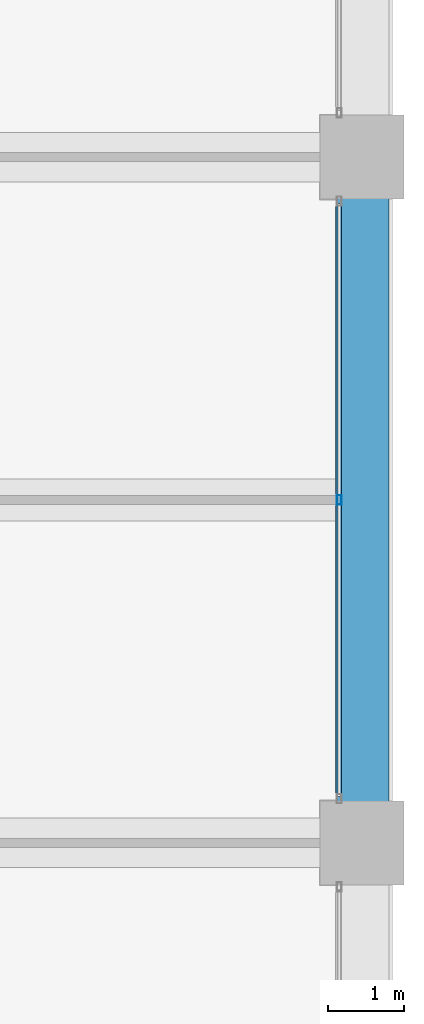
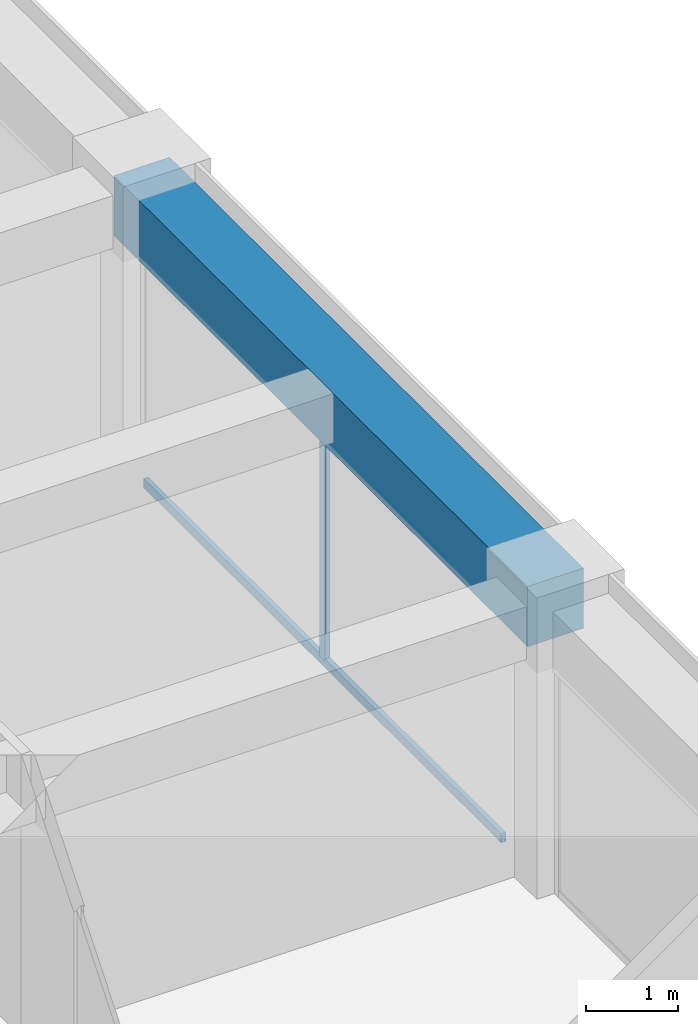
# One storey, part 25 of 44: 2 members, 1 beam, 1 element without a shape of its own.
"""IFC4 building model written with IfcOpenShell, lengths in metres."""

import ifcopenshell
import ifcopenshell.guid

model = None  # the IFC model being written
_history = None  # IfcOwnerHistory: only IFC2X3 demands one
_inside = {}  # id of a spatial element -> (the spatial element, [elements in it])
_under = {}  # id of a project, library or spatial element -> (it, [spatial elements below it])
_declared = {}  # id of a project -> (the project, [libraries it declares])
_typed = {}  # id of a type object -> (the type object, [elements of that type])
_made_of = {}  # id of a material, layer set ... -> (it, [elements and type objects made of it])


def new_model(schema):
    """Start an empty IFC model of exactly this schema.

    Asked for "IFC4X3", IfcOpenShell would pick the latest addendum, in which some entities
    have other attributes; the version numbers below select the first issue.
    IFC2X3 requires an IfcOwnerHistory on every rooted entity: one is made here for all.
    """
    global model, _history
    if schema == "IFC4X3":
        model = ifcopenshell.file(schema_version=(4, 3, 0, 0))
    else:
        model = ifcopenshell.file(schema=schema)
    _inside.clear()
    _under.clear()
    _declared.clear()
    _typed.clear()
    _made_of.clear()
    _history = None
    if model.schema == "IFC2X3":
        org = make("IfcOrganization", Name="unknown")
        user = make(
            "IfcPersonAndOrganization",
            ThePerson=make("IfcPerson", FamilyName="unknown"),
            TheOrganization=org,
        )
        app = make(
            "IfcApplication",
            ApplicationDeveloper=org,
            Version="unknown",
            ApplicationFullName="unknown",
            ApplicationIdentifier="unknown",
        )
        _history = make(
            "IfcOwnerHistory",
            OwningUser=user,
            OwningApplication=app,
            ChangeAction="ADDED",
            CreationDate=0,
        )
    return model


def make(cls, **values):
    """One entity of the class cls with the attributes given. An attribute that is None is left unset."""
    return model.create_entity(
        cls, **{name: value for name, value in values.items() if value is not None}
    )


def rooted(cls, **values):
    """An entity with a GlobalId (a new one), such as an element, a storey or a relation."""
    return make(cls, GlobalId=ifcopenshell.guid.new(), OwnerHistory=_history, **values)


def si_unit(unit_type, name, prefix=None):
    """IfcSIUnit, for example si_unit("LENGTHUNIT", "METRE", prefix="MILLI")."""
    return make("IfcSIUnit", UnitType=unit_type, Prefix=prefix, Name=name)


def assignment(units):
    """IfcUnitAssignment: the units of a project."""
    return None if units is None else make("IfcUnitAssignment", Units=units)


def point(xyz):
    """IfcCartesianPoint."""
    return None if xyz is None else make("IfcCartesianPoint", Coordinates=xyz)


def direction(xyz):
    """IfcDirection."""
    return None if xyz is None else make("IfcDirection", DirectionRatios=xyz)


def frame(location, z_axis=None, x_axis=None):
    """IfcAxis2Placement3D, a coordinate frame: its origin and axes. An axis left out is left unset."""
    return make(
        "IfcAxis2Placement3D",
        Location=point(location),
        Axis=direction(z_axis),
        RefDirection=direction(x_axis),
    )


def frame_2d(location, x_axis=None):
    """IfcAxis2Placement2D, a coordinate frame in the plane: its origin and x axis."""
    return make(
        "IfcAxis2Placement2D", Location=point(location), RefDirection=direction(x_axis)
    )


def origin():
    """The frame at (0, 0, 0) with its axes left unset."""
    return frame((0.0, 0.0, 0.0))


def origin_2d():
    """The frame at (0, 0) in the plane with its x axis left unset."""
    return frame_2d((0.0, 0.0))


def place(relative_to, where):
    """IfcLocalPlacement: puts the frame where relative to a parent placement (None: the world)."""
    return make(
        "IfcLocalPlacement", PlacementRelTo=relative_to, RelativePlacement=where
    )


def context(
    kind, dimensions, precision=None, world=None, true_north=None, identifier=None
):
    """IfcGeometricRepresentationContext, for example the 3D "Model" context."""
    return make(
        "IfcGeometricRepresentationContext",
        ContextIdentifier=identifier,
        ContextType=kind,
        CoordinateSpaceDimension=dimensions,
        Precision=precision,
        WorldCoordinateSystem=world,
        TrueNorth=true_north,
    )


def subcontext(parent, identifier, kind, view, scale=None):
    """IfcGeometricRepresentationSubContext, for example "Body" below "Model"."""
    return make(
        "IfcGeometricRepresentationSubContext",
        ContextIdentifier=identifier,
        ContextType=kind,
        ParentContext=parent,
        TargetScale=scale,
        TargetView=view,
    )


def project(units=None, contexts=None):
    """IfcProject with its units and contexts."""
    return rooted(
        "IfcProject",
        Name="project",
        RepresentationContexts=contexts,
        UnitsInContext=assignment(units),
    )


def spatial(cls, under=None, at=None, **own):
    """A site, building, storey or space (cls), placed at a placement, below another one or the project."""
    s = rooted(cls, ObjectPlacement=at, **own)
    if under is not None:
        _under.setdefault(under.id(), (under, []))[1].append(s)
    return s


def profile(cls, at=None, kind="AREA", **sizes):
    """A parametric profile (cls). Its sizes go by their IFC names, for example OverallWidth=200.0."""
    return make(cls, ProfileType=kind, Position=at, **sizes)


def rectangle(**sizes):
    """IfcRectangleProfileDef."""
    return profile("IfcRectangleProfileDef", **sizes)


def hollow_rectangle(**sizes):
    """IfcRectangleHollowProfileDef."""
    return profile("IfcRectangleHollowProfileDef", **sizes)


def extrude(swept, where, along, depth):
    """IfcExtrudedAreaSolid: the profile swept, set in the frame where, extruded along a direction by depth."""
    return make(
        "IfcExtrudedAreaSolid",
        SweptArea=swept,
        Position=where,
        ExtrudedDirection=direction(along),
        Depth=depth,
    )


def shape(context_of_items, identifier, shape_type, items):
    """IfcShapeRepresentation: the items that make up one representation, for example the "Body"."""
    return make(
        "IfcShapeRepresentation",
        ContextOfItems=context_of_items,
        RepresentationIdentifier=identifier,
        RepresentationType=shape_type,
        Items=items,
    )


def material(Name=None, Category=None):
    """IfcMaterial."""
    return make("IfcMaterial", Name=Name, Category=Category)


def material_profile(
    of_material, cross_section, Name=None, Category=None, Priority=None
):
    """IfcMaterialProfile: a cross section and its material."""
    return make(
        "IfcMaterialProfile",
        Name=Name,
        Material=of_material,
        Profile=cross_section,
        Priority=Priority,
        Category=Category,
    )


def profile_set(profiles, Name=None, composite=None):
    """IfcMaterialProfileSet."""
    return make(
        "IfcMaterialProfileSet",
        Name=Name,
        MaterialProfiles=profiles,
        CompositeProfile=composite,
    )


def made_of(thing, what):
    """Note that an element or type object is made of a material, layer set ...; save() writes the relation."""
    if what is not None:
        _made_of.setdefault(what.id(), (what, []))[1].append(thing)
    return thing


def type_object(cls, material=None, **own):
    """A type object (cls), such as IfcWallType, which elements share."""
    return made_of(rooted(cls, **own), material)


def element(
    cls,
    number,
    at=None,
    inside=None,
    cuts=None,
    type_object=None,
    material=None,
    context=None,
    identifier="Body",
    shape_type=None,
    held_by="IfcProductDefinitionShape",
    body=None,
    shapes=None,
    **own,
):
    """One element of the class cls, such as IfcWall. Its Tag is "e" and its number.

    at: its placement. inside: the storey or other place that contains it. cuts: it is an
    opening in that element (IfcRelVoidsElement). A single representation is given by context,
    identifier, shape_type and body (its items); several are given by shapes. held_by: the class
    of the entity that holds the representations. save() writes the other relations.
    """
    e = rooted(cls, Tag="e%d" % number, ObjectPlacement=at, **own)
    if body is not None:
        shapes = [shape(context, identifier, shape_type, body)]
    if shapes is not None:
        e.Representation = make(held_by, Representations=shapes)
    if inside is not None:
        _inside.setdefault(inside.id(), (inside, []))[1].append(e)
    if cuts is not None:
        rooted(
            "IfcRelVoidsElement", RelatingBuildingElement=cuts, RelatedOpeningElement=e
        )
    if type_object is not None:
        _typed.setdefault(type_object.id(), (type_object, []))[1].append(e)
    return made_of(e, material)


def aggregate(whole, parts):
    """IfcRelAggregates: a whole, such as a stair, and the parts it consists of."""
    return rooted("IfcRelAggregates", RelatingObject=whole, RelatedObjects=parts)


def save(model, path):
    """Write the relations noted so far, then the file.

    IfcRelAggregates (storeys below a building ...), IfcRelContainedInSpatialStructure (elements
    in a storey), IfcRelDefinesByType, IfcRelAssociatesMaterial and IfcRelDeclares: one each for
    every whole, place, type object, material and project.
    """
    for whole, parts in _under.values():
        aggregate(whole, parts)
    for where, things in _inside.values():
        rooted(
            "IfcRelContainedInSpatialStructure",
            RelatedElements=things,
            RelatingStructure=where,
        )
    for kind, things in _typed.values():
        rooted("IfcRelDefinesByType", RelatedObjects=things, RelatingType=kind)
    for what, things in _made_of.values():
        rooted("IfcRelAssociatesMaterial", RelatedObjects=things, RelatingMaterial=what)
    for by, libraries in _declared.values():
        rooted("IfcRelDeclares", RelatingContext=by, RelatedDefinitions=libraries)
    model.write(path)


model = new_model("IFC4")

# Units and contexts
model_context = context("Model", 3, precision=1e-05, world=origin(), true_north=direction((0.0, 1.0)))
body_context = subcontext(model_context, "Body", "Model", "MODEL_VIEW")
ifc_project = project(units=[si_unit("LENGTHUNIT", "METRE"), si_unit("AREAUNIT", "SQUARE_METRE"), si_unit("VOLUMEUNIT", "CUBIC_METRE"), si_unit("PLANEANGLEUNIT", "RADIAN"), si_unit("MASSUNIT", "GRAM", prefix="KILO")], contexts=[model_context])

# Site, building, storey
site_placement = place(None, origin())
site = spatial("IfcSite", under=ifc_project, at=site_placement, CompositionType="ELEMENT")
building_placement = place(site_placement, origin())
building = spatial("IfcBuilding", under=site, at=building_placement, Name="Zorevar Civic Tower", CompositionType="ELEMENT")
storey_placement = place(building_placement, frame((0.0, 0.0, 255.39990234375)))
storey = spatial("IfcBuildingStorey", under=building, at=storey_placement, Name="L62", CompositionType="ELEMENT", Elevation=255.39990234375)

# Curtain wall, members
ifc_material_1 = material(Name="Dark grey solar-control glass in black aluminium frame", Category="aluminium")
curtain_wall_type = type_object("IfcCurtainWallType", Name="Curtain wall CW5 top zone", PredefinedType="NOTDEFINED", material=ifc_material_1)
curtain_wall_placement = place(storey_placement, origin())
curtain_wall = element("IfcCurtainWall", 1, at=curtain_wall_placement, inside=storey, type_object=curtain_wall_type, Name="CW5 L62", PredefinedType="NOTDEFINED")
ifc_material_2 = material(Name="Aluminium, black anodised", Category="aluminium")
ifc_material_profile_1 = material_profile(ifc_material_2, hollow_rectangle(XDim=0.06005859375, YDim=0.1201171875, WallThickness=0.0029296875, at=origin_2d()), Name="AL 120x60x3")
ifc_profile_set_1 = profile_set([ifc_material_profile_1], Name="Aluminium, black anodised")
member_type_1 = type_object("IfcMemberType", Name="CW5 mullion AL 120x60x3", PredefinedType="MULLION", material=ifc_profile_set_1)
member_1_placement = place(storey_placement, frame((53.699951171875, 22.5, 0.06005859375), z_axis=(0.0, 0.0, 1.0), x_axis=(-1.0, 0.0, 0.0)))
member_1 = element("IfcMember", 2, at=member_1_placement, type_object=member_type_1, Name="CW5 mullion 2", PredefinedType="MULLION", context=body_context, shape_type="SweptSolid", body=[
    extrude(hollow_rectangle(XDim=0.06005859375, YDim=0.1201171875, WallThickness=0.0029296875, at=origin_2d()), origin(), (0.0, 0.0, 1.0), 2.89013671875),
])
ifc_material_3 = material(Name="Aluminium, black anodised", Category="aluminium")
ifc_material_profile_2 = material_profile(ifc_material_3, hollow_rectangle(XDim=0.06005859375, YDim=0.1201171875, WallThickness=0.0029296875, at=origin_2d()), Name="AL 120x60x3")
ifc_profile_set_2 = profile_set([ifc_material_profile_2], Name="Aluminium, black anodised")
member_type_2 = type_object("IfcMemberType", Name="CW5 transom AL 120x60x3", PredefinedType="USERDEFINED", material=ifc_profile_set_2)
member_2_placement = place(storey_placement, frame((53.699951171875, 18.610107421875, 0.030029296875), z_axis=(0.0, 1.0, 0.0), x_axis=(-1.0, 0.0, 0.0)))
member_2 = element("IfcMember", 3, at=member_2_placement, type_object=member_type_2, Name="CW5 sill transom", ObjectType="TRANSOM", PredefinedType="USERDEFINED", context=body_context, shape_type="SweptSolid", body=[
    extrude(hollow_rectangle(XDim=0.06005859375, YDim=0.1201171875, WallThickness=0.0029296875, at=origin_2d()), origin(), (0.0, 0.0, 1.0), 7.77978515625),
])
aggregate(curtain_wall, [member_1, member_2])

# Beam
ifc_material_4 = material(Name="Concrete C50/60", Category="concrete")
ifc_material_profile_3 = material_profile(ifc_material_4, rectangle(XDim=0.699951171875, YDim=0.800048828125, at=origin_2d()), Name="RC 700x800")
ifc_profile_set_3 = profile_set([ifc_material_profile_3], Name="Concrete C50/60")
beam_type = type_object("IfcBeamType", Name="Edge beam RC 700x800", PredefinedType="SPANDREL", material=ifc_profile_set_3)
beam_placement = place(storey_placement, frame((54.0, 18.0, 3.35009765625), z_axis=(0.0, 1.0, 0.0), x_axis=(-1.0, 0.0, 0.0)))
element("IfcBeam", 4, at=beam_placement, inside=storey, type_object=beam_type, Name="Edge beam L63", PredefinedType="SPANDREL", context=body_context, shape_type="SweptSolid", body=[
    extrude(rectangle(XDim=0.699951171875, YDim=0.800048828125, at=origin_2d()), origin(), (0.0, 0.0, 1.0), 9.0),
])

save(model, "model.ifc")
